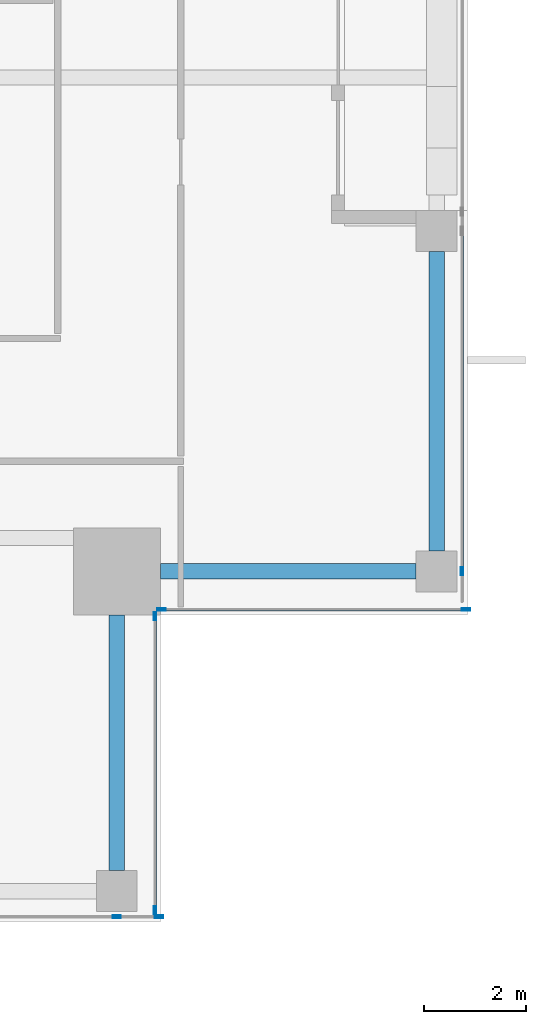
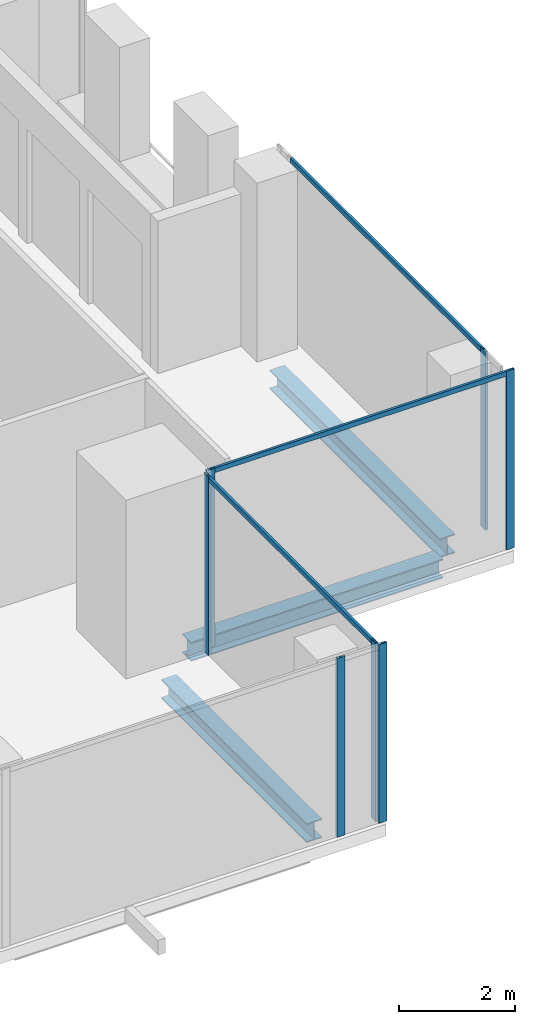
# One storey, part 8 of 29: 10 members, 3 beams, 4 elements without a shape of their own.
"""IFC4 building model written with IfcOpenShell, lengths in metres."""

from ifc_helpers import new_model, si_unit, direction, frame, origin, origin_2d, place, context, subcontext, project, spatial, hollow_rectangle, i_section, extrude, source, transform, mapped, material, material_profile, profile_set, type_object, element, aggregate, save


model = new_model("IFC4")

# Units and contexts
model_context = context("Model", 3, precision=1e-05, world=origin(), true_north=direction((0.0, 1.0)))
body_context = subcontext(model_context, "Body", "Model", "MODEL_VIEW")
ifc_project = project(units=[si_unit("LENGTHUNIT", "METRE"), si_unit("AREAUNIT", "SQUARE_METRE"), si_unit("VOLUMEUNIT", "CUBIC_METRE"), si_unit("PLANEANGLEUNIT", "RADIAN"), si_unit("MASSUNIT", "GRAM", prefix="KILO")], contexts=[model_context])

# Site, building, storey
site_placement = place(None, origin())
site = spatial("IfcSite", under=ifc_project, at=site_placement, CompositionType="ELEMENT")
building_placement = place(site_placement, origin())
building = spatial("IfcBuilding", under=site, at=building_placement, Name="Khomas Fold Tower", CompositionType="ELEMENT")
storey_placement = place(building_placement, frame((0.0, 0.0, 286.199951171875)))
storey = spatial("IfcBuildingStorey", under=building, at=storey_placement, Name="L64", CompositionType="ELEMENT", Elevation=286.199951171875)

# Beams
ifc_material_1 = material(Name="Steel S355", Category="steel")
ifc_material_profile_1 = material_profile(ifc_material_1, i_section(OverallWidth=0.300048828125, OverallDepth=0.39990234375, WebThickness=0.013427734375, FlangeThickness=0.02392578125, at=origin_2d()), Name="HE 400 B")
ifc_profile_set_1 = profile_set([ifc_material_profile_1], Name="Steel S355")
beam_type = type_object("IfcBeamType", Name="HE 400 B spandrel SB5", PredefinedType="SPANDREL", material=ifc_profile_set_1)
shared_shape_1 = source(origin(), body_context, "Body", "SweptSolid", [
    extrude(i_section(OverallWidth=0.300048828125, OverallDepth=0.39990234375, WebThickness=0.013427734375, FlangeThickness=0.02392578125, at=origin_2d()), origin(), (0.0, 0.0, 1.0), 5.85009765625),
])
beam_placement = place(storey_placement, frame((47.39990234375, 13.25, -0.449951171875), z_axis=(0.0, 1.0, 0.0), x_axis=(-1.0, 0.0, 0.0)))
element("IfcBeam", 1, at=beam_placement, inside=storey, type_object=beam_type, Name="SB5", PredefinedType="SPANDREL", context=body_context, shape_type="MappedRepresentation", body=[
    mapped(shared_shape_1, transform((0.0, 0.0, 0.0))),
])
shared_shape_2 = source(origin(), body_context, "Body", "SweptSolid", [
    extrude(i_section(OverallWidth=0.300048828125, OverallDepth=0.39990234375, WebThickness=0.013427734375, FlangeThickness=0.02392578125, at=origin_2d()), origin(), (0.0, 0.0, 1.0), 5.0),
])
for number, where, z_axis, x_axis, name in (
    (2, (41.14990234375, 7.0, -0.449951171875), (0.0, 1.0, 0.0), (-1.0, 0.0, 0.0), "SB5"),
    (3, (42.0, 12.85009765625, -0.449951171875), (1.0, 0.0, 0.0), (0.0, 1.0, 0.0), "SB5"),
):
    element("IfcBeam", number, at=place(storey_placement, frame(where, z_axis=z_axis, x_axis=x_axis)), inside=storey, type_object=beam_type, Name=name, PredefinedType="SPANDREL", context=body_context, shape_type="MappedRepresentation", body=[
        mapped(shared_shape_2, transform((0.0, 0.0, 0.0))),
    ])

# Curtain wall, members
ifc_material_2 = material(Name="Aluminium framed double glazing", Category="aluminium")
curtain_wall_type = type_object("IfcCurtainWallType", Name="SK-Unitised clear-glass wall, upper floors CW3", PredefinedType="NOTDEFINED", material=ifc_material_2)
curtain_wall_1_placement = place(storey_placement, origin())
curtain_wall_1 = element("IfcCurtainWall", 4, at=curtain_wall_1_placement, inside=storey, type_object=curtain_wall_type, Name="CW3 run L64 00-0", PredefinedType="NOTDEFINED")
ifc_material_3 = material(Name="Aluminium", Category="aluminium")
ifc_material_profile_2 = material_profile(ifc_material_3, hollow_rectangle(XDim=0.050048828125, YDim=0.159912109375, WallThickness=0.00390625, at=origin_2d()), Name="SK-Unitised clear-glass wall, upper floors mullion CW3-M")
ifc_profile_set_2 = profile_set([ifc_material_profile_2], Name="Aluminium")
member_type_1 = type_object("IfcMemberType", Name="SK-Unitised clear-glass wall, upper floors mullion CW3-M", PredefinedType="MULLION", material=ifc_profile_set_2)
shared_shape_3 = source(origin(), body_context, "Body", "SweptSolid", [
    extrude(hollow_rectangle(XDim=0.050048828125, YDim=0.159912109375, WallThickness=0.00390625, at=origin_2d()), origin(), (0.0, 0.0, 1.0), 3.75),
])
member_1_placement = place(storey_placement, frame((41.14990234375, 6.10009765625, 0.0), z_axis=(0.0, 0.0, 1.0), x_axis=(0.0, 1.0, 0.0)))
member_1 = element("IfcMember", 5, at=member_1_placement, type_object=member_type_1, Name="CW3 mullion 6", PredefinedType="MULLION", context=body_context, shape_type="MappedRepresentation", body=[
    mapped(shared_shape_3, transform((0.0, 0.0, 0.0))),
])
member_2_placement = place(storey_placement, frame((41.97509765625, 6.10009765625, 0.0), z_axis=(0.0, 0.0, 1.0), x_axis=(0.0, 1.0, 0.0)))
member_2 = element("IfcMember", 6, at=member_2_placement, type_object=member_type_1, Name="CW3 mullion 7", PredefinedType="MULLION", context=body_context, shape_type="MappedRepresentation", body=[
    mapped(shared_shape_3, transform((0.0, 0.0, 0.0))),
])
aggregate(curtain_wall_1, [member_1, member_2])

curtain_wall_2_placement = place(storey_placement, origin())
curtain_wall_2 = element("IfcCurtainWall", 7, at=curtain_wall_2_placement, inside=storey, type_object=curtain_wall_type, Name="CW3 corner return L64 01", PredefinedType="NOTDEFINED")
member_3_placement = place(storey_placement, frame((41.89990234375, 6.22509765625, 0.0), z_axis=(0.0, 0.0, 1.0), x_axis=(-1.0, 0.0, 0.0)))
member_3 = element("IfcMember", 8, at=member_3_placement, type_object=member_type_1, Name="CW3 mullion 1", PredefinedType="MULLION", context=body_context, shape_type="MappedRepresentation", body=[
    mapped(shared_shape_3, transform((0.0, 0.0, 0.0))),
])
member_4_placement = place(storey_placement, frame((41.89990234375, 11.97509765625, 0.0), z_axis=(0.0, 0.0, 1.0), x_axis=(-1.0, 0.0, 0.0)))
member_4 = element("IfcMember", 9, at=member_4_placement, type_object=member_type_1, Name="CW3 mullion 2", PredefinedType="MULLION", context=body_context, shape_type="MappedRepresentation", body=[
    mapped(shared_shape_3, transform((0.0, 0.0, 0.0))),
])

curtain_wall_3_placement = place(storey_placement, origin())
curtain_wall_3 = element("IfcCurtainWall", 10, at=curtain_wall_3_placement, inside=storey, type_object=curtain_wall_type, Name="CW3 corner return L64 02", PredefinedType="NOTDEFINED")
member_5_placement = place(storey_placement, frame((42.02490234375, 12.10009765625, 0.0), z_axis=(0.0, 0.0, 1.0), x_axis=(0.0, 1.0, 0.0)))
member_5 = element("IfcMember", 11, at=member_5_placement, type_object=member_type_1, Name="CW3 mullion 1", PredefinedType="MULLION", context=body_context, shape_type="MappedRepresentation", body=[
    mapped(shared_shape_3, transform((0.0, 0.0, 0.0))),
])
member_6_placement = place(storey_placement, frame((47.97509765625, 12.10009765625, 0.0), z_axis=(0.0, 0.0, 1.0), x_axis=(0.0, 1.0, 0.0)))
member_6 = element("IfcMember", 12, at=member_6_placement, type_object=member_type_1, Name="CW3 mullion 2", PredefinedType="MULLION", context=body_context, shape_type="MappedRepresentation", body=[
    mapped(shared_shape_3, transform((0.0, 0.0, 0.0))),
])

curtain_wall_4_placement = place(storey_placement, origin())
curtain_wall_4 = element("IfcCurtainWall", 13, at=curtain_wall_4_placement, inside=storey, type_object=curtain_wall_type, Name="CW3 run L64 03-0", PredefinedType="NOTDEFINED")
member_7_placement = place(storey_placement, frame((47.89990234375, 12.85009765625, 0.0), z_axis=(0.0, 0.0, 1.0), x_axis=(-1.0, 0.0, 0.0)))
member_7 = element("IfcMember", 14, at=member_7_placement, type_object=member_type_1, Name="CW3 mullion 2", PredefinedType="MULLION", context=body_context, shape_type="MappedRepresentation", body=[
    mapped(shared_shape_3, transform((0.0, 0.0, 0.0))),
])
ifc_material_4 = material(Name="Aluminium", Category="aluminium")
ifc_material_profile_3 = material_profile(ifc_material_4, hollow_rectangle(XDim=0.050048828125, YDim=0.10009765625, WallThickness=0.00390625, at=origin_2d()), Name="SK-Unitised clear-glass wall, upper floors transom CW3-T")
ifc_profile_set_3 = profile_set([ifc_material_profile_3], Name="Aluminium")
member_type_2 = type_object("IfcMemberType", Name="SK-Unitised clear-glass wall, upper floors transom CW3-T", PredefinedType="USERDEFINED", material=ifc_profile_set_3)
shared_shape_4 = source(origin(), body_context, "Body", "SweptSolid", [
    extrude(hollow_rectangle(XDim=0.050048828125, YDim=0.10009765625, WallThickness=0.00390625, at=origin_2d()), origin(), (0.0, 0.0, 1.0), 6.60009765625),
])
member_8_placement = place(storey_placement, frame((47.89990234375, 12.875, 3.699951171875), z_axis=(0.0, 1.0, 0.0), x_axis=(-1.0, 0.0, 0.0)))
member_8 = element("IfcMember", 15, at=member_8_placement, type_object=member_type_2, Name="CW3 transom 2", ObjectType="TRANSOM", PredefinedType="USERDEFINED", context=body_context, shape_type="MappedRepresentation", body=[
    mapped(shared_shape_4, transform((0.0, 0.0, 0.0))),
])
aggregate(curtain_wall_4, [member_7, member_8])

# Member
shared_shape_5 = source(origin(), body_context, "Body", "SweptSolid", [
    extrude(hollow_rectangle(XDim=0.050048828125, YDim=0.10009765625, WallThickness=0.00390625, at=origin_2d()), origin(), (0.0, 0.0, 1.0), 5.699951171875),
])
member_9_placement = place(storey_placement, frame((41.89990234375, 6.25, 3.699951171875), z_axis=(0.0, 1.0, 0.0), x_axis=(-1.0, 0.0, 0.0)))
member_9 = element("IfcMember", 16, at=member_9_placement, type_object=member_type_2, Name="CW3 transom 1", ObjectType="TRANSOM", PredefinedType="USERDEFINED", context=body_context, shape_type="MappedRepresentation", body=[
    mapped(shared_shape_5, transform((0.0, 0.0, 0.0))),
])

aggregate(curtain_wall_2, [member_3, member_4, member_9])

shared_shape_6 = source(origin(), body_context, "Body", "SweptSolid", [
    extrude(hollow_rectangle(XDim=0.050048828125, YDim=0.10009765625, WallThickness=0.00390625, at=origin_2d()), origin(), (0.0, 0.0, 1.0), 5.89990234375),
])
member_10_placement = place(storey_placement, frame((42.050048828125, 12.10009765625, 3.699951171875), z_axis=(1.0, 0.0, 0.0), x_axis=(0.0, 1.0, 0.0)))
member_10 = element("IfcMember", 17, at=member_10_placement, type_object=member_type_2, Name="CW3 transom 1", ObjectType="TRANSOM", PredefinedType="USERDEFINED", context=body_context, shape_type="MappedRepresentation", body=[
    mapped(shared_shape_6, transform((0.0, 0.0, 0.0))),
])

aggregate(curtain_wall_3, [member_5, member_6, member_10])

save(model, "model.ifc")
